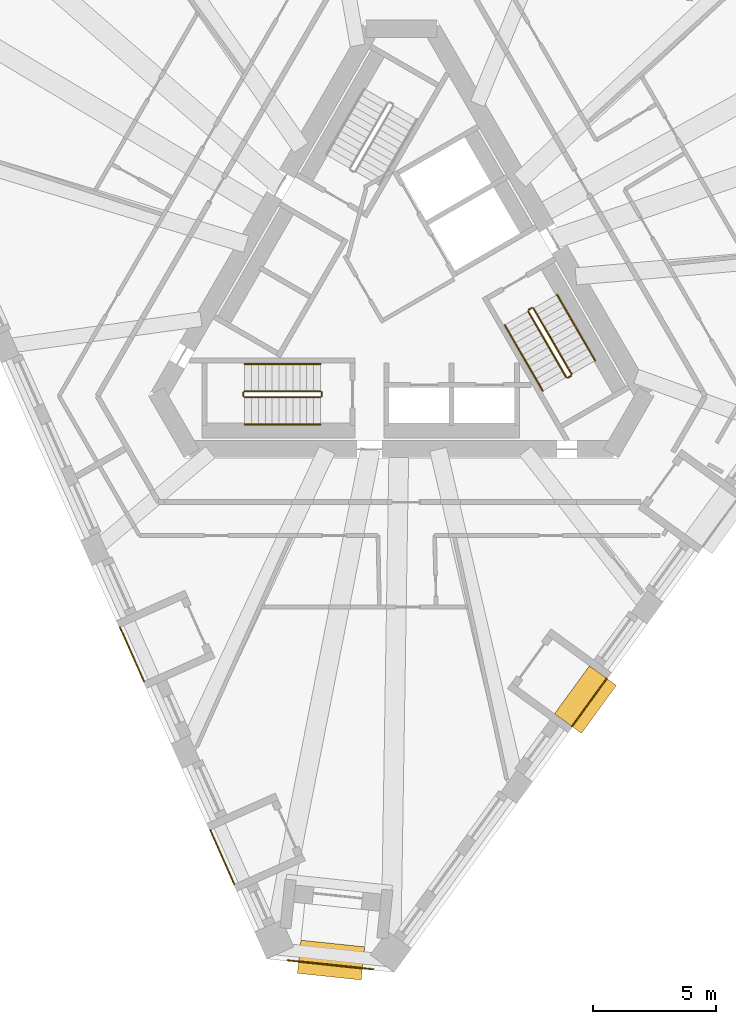
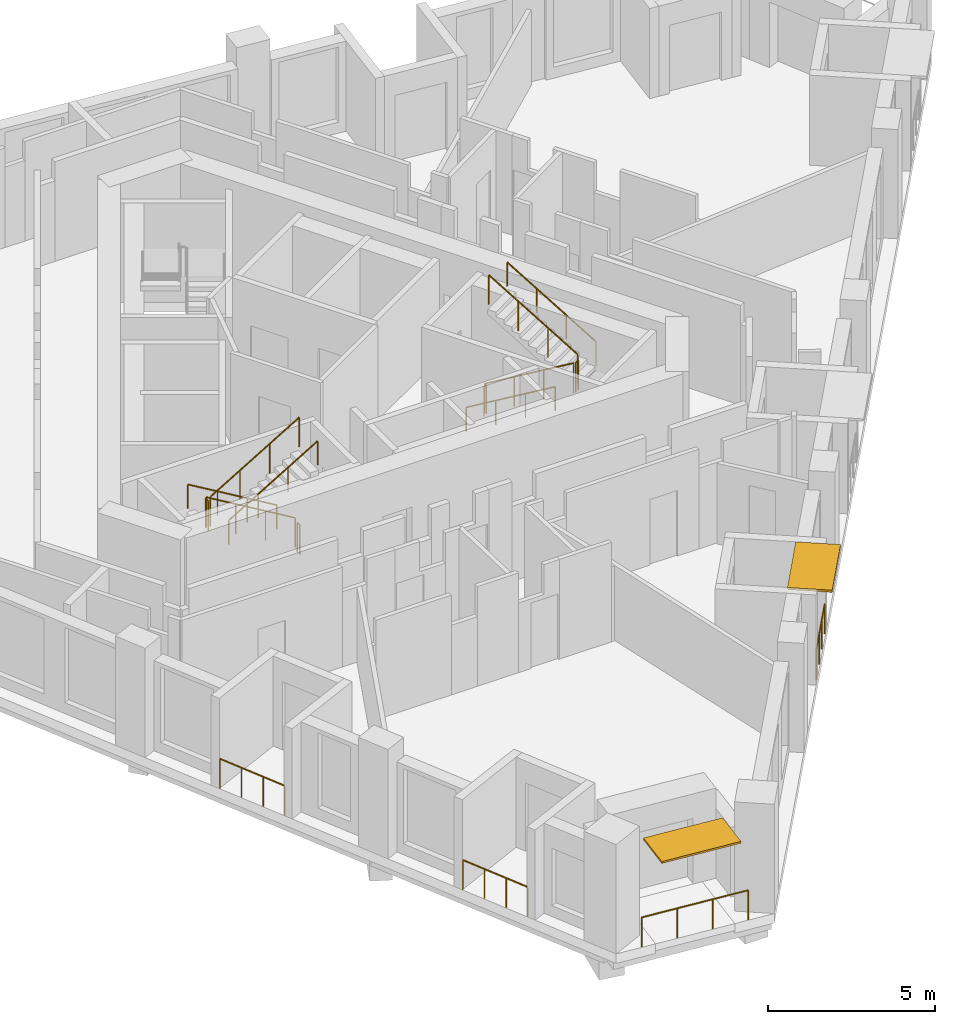
# One storey, part 9 of 11: 16 railings, 2 shading devices.
"""IFC4 building model written with IfcOpenShell, lengths in metres."""

from ifc_helpers import new_model, si_unit, direction, frame, origin, origin_2d, place, context, subcontext, project, spatial, rectangle, circle, extrude, material, layer, layer_set, type_object, element, save


model = new_model("IFC4")

# Units and contexts
model_context = context("Model", 3, precision=1e-05, world=origin(), true_north=direction((0.0, 1.0)))
body_context = subcontext(model_context, "Body", "Model", "MODEL_VIEW")
ifc_project = project(units=[si_unit("LENGTHUNIT", "METRE"), si_unit("AREAUNIT", "SQUARE_METRE"), si_unit("VOLUMEUNIT", "CUBIC_METRE"), si_unit("PLANEANGLEUNIT", "RADIAN"), si_unit("MASSUNIT", "GRAM", prefix="KILO")], contexts=[model_context])

# Site, building, storey
site_placement = place(None, origin())
site = spatial("IfcSite", under=ifc_project, at=site_placement, CompositionType="ELEMENT")
building_placement = place(site_placement, origin())
building = spatial("IfcBuilding", under=site, at=building_placement, Name="Tramontana Tower", CompositionType="ELEMENT")
storey_placement = place(building_placement, frame((0.0, 0.0, 241.199951171875)))
storey = spatial("IfcBuildingStorey", under=building, at=storey_placement, Name="L56", CompositionType="ELEMENT", Elevation=241.199951171875)

# Railings
ifc_material_1 = material(Name="Laminated glass balustrade", Category="glass")
railing_type_1 = type_object("IfcRailingType", Name="GD1 Loggia glass balustrade 1100", PredefinedType="BALUSTRADE", material=ifc_material_1)
for number, where, name in (
    (1, (-11.41455078125, -13.626220703125, 0.0), "Loggia balustrade L56 G6S0.10"),
    (2, (-7.751220703125, -21.854248046875, 0.0), "Loggia balustrade L56 G6S0.13"),
):
    element("IfcRailing", number, at=place(storey_placement, frame(where)), inside=storey, type_object=railing_type_1, Name=name, PredefinedType="BALUSTRADE", context=body_context, shape_type="SweptSolid", body=[
        extrude(circle(Radius=0.02392578125, at=origin_2d()), frame((0.0, 0.0, 1.076171875), z_axis=(0.406723017018, -0.913551524232, 0.0), x_axis=(0.913551524232, 0.406723017018, 0.0)), (0.0, 0.0, 1.0), 2.40234375),
        extrude(circle(Radius=0.02099609375, at=origin_2d()), origin(), (0.0, 0.0, 1.0), 1.052001953125),
        extrude(circle(Radius=0.02099609375, at=origin_2d()), frame((0.32568359375, -0.7314453125, 0.0)), (0.0, 0.0, 1.0), 1.052001953125),
        extrude(circle(Radius=0.02099609375, at=origin_2d()), frame((0.6513671875, -1.463134765625, 0.0)), (0.0, 0.0, 1.0), 1.052001953125),
        extrude(circle(Radius=0.02099609375, at=origin_2d()), frame((0.97705078125, -2.194580078125, 0.0)), (0.0, 0.0, 1.0), 1.052001953125),
    ])
railing_1_placement = place(storey_placement, frame((6.919921875, -17.645263671875, 0.0)))
element("IfcRailing", 3, at=railing_1_placement, inside=storey, type_object=railing_type_1, Name="Loggia balustrade L56 G6S1.4", PredefinedType="BALUSTRADE", context=body_context, shape_type="SweptSolid", body=[
    extrude(circle(Radius=0.02392578125, at=origin_2d()), frame((0.0, 0.0, 1.076171875), z_axis=(0.587784915375, 0.80901723916, 0.0), x_axis=(-0.80901723916, 0.587784915375, 0.0)), (0.0, 0.0, 1.0), 2.40234375),
    extrude(circle(Radius=0.02099609375, at=origin_2d()), origin(), (0.0, 0.0, 1.0), 1.052001953125),
    extrude(circle(Radius=0.02099609375, at=origin_2d()), frame((0.470703125, 0.64794921875, 0.0)), (0.0, 0.0, 1.0), 1.052001953125),
    extrude(circle(Radius=0.02099609375, at=origin_2d()), frame((0.94140625, 1.295654296875, 0.0)), (0.0, 0.0, 1.0), 1.052001953125),
    extrude(circle(Radius=0.02099609375, at=origin_2d()), frame((1.412109375, 1.943603515625, 0.0)), (0.0, 0.0, 1.0), 1.052001953125),
])
railing_2_placement = place(storey_placement, frame((-1.131103515625, -27.50244140625, 0.0)))
element("IfcRailing", 4, at=railing_2_placement, inside=storey, type_object=railing_type_1, Name="Corner loggia balustrade L56 K61", PredefinedType="BALUSTRADE", context=body_context, shape_type="SweptSolid", body=[
    extrude(circle(Radius=0.02392578125, at=origin_2d()), frame((0.0, 0.0, 1.076171875), z_axis=(-0.994518059202, 0.104564955513, 0.0), x_axis=(-0.104564955513, -0.994518059202, 0.0)), (0.0, 0.0, 1.0), 3.5),
    extrude(circle(Radius=0.02099609375, at=origin_2d()), origin(), (0.0, 0.0, 1.0), 1.052001953125),
    extrude(circle(Radius=0.02099609375, at=origin_2d()), frame((-1.16015625, 0.1220703125, 0.0)), (0.0, 0.0, 1.0), 1.052001953125),
    extrude(circle(Radius=0.02099609375, at=origin_2d()), frame((-2.320556640625, 0.243896484375, 0.0)), (0.0, 0.0, 1.0), 1.052001953125),
    extrude(circle(Radius=0.02099609375, at=origin_2d()), frame((-3.480712890625, 0.365966796875, 0.0)), (0.0, 0.0, 1.0), 1.052001953125),
])

# Shading devices
ifc_material_2 = material(Name="Precast concrete 60 MPa", Category="concrete")
ifc_layer_1 = layer(ifc_material_2, 0.070068359375)
ifc_layer_set_1 = layer_set([ifc_layer_1], Name="SS2 Stone sunshade blade 70")
shading_device_type_1 = type_object("IfcShadingDeviceType", Name="SS2 Stone sunshade blade 70", PredefinedType="USERDEFINED", material=ifc_layer_set_1)
shading_device_1_placement = place(storey_placement, frame((-2.85107421875, -27.12548828125, 3.22998046875), z_axis=(0.0, 0.0, 1.0), x_axis=(-0.994521895368, 0.104528463268, 0.0)))
element("IfcShadingDevice", 5, at=shading_device_1_placement, inside=storey, type_object=shading_device_type_1, Name="Corner sunshade L56 K61", ObjectType="SUNSHADE", PredefinedType="USERDEFINED", context=body_context, shape_type="SweptSolid", body=[
    extrude(rectangle(XDim=2.60009765625, YDim=1.35009765625, at=origin_2d()), origin(), (0.0, 0.0, 1.0), 0.070068359375),
])
ifc_material_3 = material(Name="Precast concrete 60 MPa", Category="concrete")
ifc_layer_2 = layer(ifc_material_3, 0.080078125)
ifc_layer_set_2 = layer_set([ifc_layer_2], Name="SS3 Stone sunshade blade 80")
shading_device_type_2 = type_object("IfcShadingDeviceType", Name="SS3 Stone sunshade blade 80", PredefinedType="USERDEFINED", material=ifc_layer_set_2)
shading_device_2_placement = place(storey_placement, frame((7.46826171875, -16.558837890625, 3.219970703125), z_axis=(0.0, 0.0, 1.0), x_axis=(0.587785252292, 0.809016994375, 0.0)))
element("IfcShadingDevice", 6, at=shading_device_2_placement, inside=storey, type_object=shading_device_type_2, Name="Sunshade L56 G6S1.4", ObjectType="SUNSHADE", PredefinedType="USERDEFINED", context=body_context, shape_type="SweptSolid", body=[
    extrude(rectangle(XDim=2.402099609375, YDim=1.35009765625, at=origin_2d()), origin(), (0.0, 0.0, 1.0), 0.080078125),
])

# Railings
ifc_material_4 = material(Name="Painted steel", Category="steel")
railing_type_2 = type_object("IfcRailingType", Name="STAIR GUARD 1100", PredefinedType="GUARDRAIL", material=ifc_material_4)
railing_3_placement = place(storey_placement, frame((-3.280029296875, -4.050048828125, 0.166748046875)))
element("IfcRailing", 7, at=railing_3_placement, inside=storey, type_object=railing_type_2, Name="L56 ST2 stair guard 1", PredefinedType="GUARDRAIL", context=body_context, shape_type="SweptSolid", body=[
    extrude(circle(Radius=0.02392578125, at=origin_2d()), frame((0.0, 0.0, 1.076171875), z_axis=(-0.859308565015, 0.0, 0.511457515432), x_axis=(0.0, -1.0, 0.0)), (0.0, 0.0, 1.0), 3.58447265625),
    extrude(circle(Radius=0.02099609375, at=origin_2d()), origin(), (0.0, 0.0, 1.0), 1.052001953125),
    extrude(circle(Radius=0.02099609375, at=origin_2d()), frame((-1.026611328125, 0.0, 0.611083984375)), (0.0, 0.0, 1.0), 1.052001953125),
    extrude(circle(Radius=0.02099609375, at=origin_2d()), frame((-2.053466796875, 0.0, 1.22216796875)), (0.0, 0.0, 1.0), 1.052001953125),
    extrude(circle(Radius=0.02099609375, at=origin_2d()), frame((-3.080078125, 0.0, 1.833251953125)), (0.0, 0.0, 1.0), 1.052001953125),
])
railing_4_placement = place(storey_placement, frame((-6.360107421875, -4.300048828125, 2.166748046875)))
element("IfcRailing", 8, at=railing_4_placement, inside=storey, type_object=railing_type_2, Name="L56 ST2 stair guard 2", PredefinedType="GUARDRAIL", context=body_context, shape_type="SweptSolid", body=[
    extrude(circle(Radius=0.02392578125, at=origin_2d()), frame((0.0, 0.0, 1.076171875), z_axis=(0.859308565015, 0.0, 0.511457515432), x_axis=(0.0, 1.0, 0.0)), (0.0, 0.0, 1.0), 3.58447265625),
    extrude(circle(Radius=0.02099609375, at=origin_2d()), origin(), (0.0, 0.0, 1.0), 1.052001953125),
    extrude(circle(Radius=0.02099609375, at=origin_2d()), frame((1.026611328125, 0.0, 0.611083984375)), (0.0, 0.0, 1.0), 1.052001953125),
    extrude(circle(Radius=0.02099609375, at=origin_2d()), frame((2.053466796875, 0.0, 1.22216796875)), (0.0, 0.0, 1.0), 1.052001953125),
    extrude(circle(Radius=0.02099609375, at=origin_2d()), frame((3.080078125, 0.0, 1.833251953125)), (0.0, 0.0, 1.0), 1.052001953125),
])
for number, where, name in (
    (9, (-6.409912109375, -4.10009765625, 2.0), "L56 ST2 stair guard 3"),
    (10, (-3.22998046875, -4.10009765625, 0.0), "L56 ST2 stair guard 4"),
):
    element("IfcRailing", number, at=place(storey_placement, frame(where)), inside=storey, type_object=railing_type_2, Name=name, PredefinedType="GUARDRAIL", context=body_context, shape_type="SweptSolid", body=[
        extrude(circle(Radius=0.02392578125, at=origin_2d()), frame((0.0, 0.0, 1.076171875), z_axis=(0.0, -1.0, 0.0), x_axis=(1.0, 0.0, 0.0)), (0.0, 0.0, 1.0), 0.14990234375),
        extrude(circle(Radius=0.02099609375, at=origin_2d()), origin(), (0.0, 0.0, 1.0), 1.052001953125),
        extrude(circle(Radius=0.02099609375, at=origin_2d()), frame((0.0, -0.14990234375, 0.0)), (0.0, 0.0, 1.0), 1.052001953125),
    ])
railing_5_placement = place(storey_placement, frame((5.1474609375, -0.815673828125, 0.166748046875)))
element("IfcRailing", 11, at=railing_5_placement, inside=storey, type_object=railing_type_2, Name="L56 ST3 stair guard 1", PredefinedType="GUARDRAIL", context=body_context, shape_type="SweptSolid", body=[
    extrude(circle(Radius=0.02392578125, at=origin_2d()), frame((0.0, 0.0, 1.076171875), z_axis=(0.429671193721, -0.744159446956, 0.511477646425), x_axis=(0.866010015463, 0.500026652407, 0.0)), (0.0, 0.0, 1.0), 3.584228515625),
    extrude(circle(Radius=0.02099609375, at=origin_2d()), origin(), (0.0, 0.0, 1.0), 1.052001953125),
    extrude(circle(Radius=0.02099609375, at=origin_2d()), frame((0.513427734375, -0.88916015625, 0.611083984375)), (0.0, 0.0, 1.0), 1.052001953125),
    extrude(circle(Radius=0.02099609375, at=origin_2d()), frame((1.026611328125, -1.778076171875, 1.22216796875)), (0.0, 0.0, 1.0), 1.052001953125),
    extrude(circle(Radius=0.02099609375, at=origin_2d()), frame((1.5400390625, -2.667236328125, 1.833251953125)), (0.0, 0.0, 1.0), 1.052001953125),
])
railing_6_placement = place(storey_placement, frame((6.90380859375, -3.35791015625, 2.166748046875)))
element("IfcRailing", 12, at=railing_6_placement, inside=storey, type_object=railing_type_2, Name="L56 ST3 stair guard 2", PredefinedType="GUARDRAIL", context=body_context, shape_type="SweptSolid", body=[
    extrude(circle(Radius=0.02392578125, at=origin_2d()), frame((0.0, 0.0, 1.076171875), z_axis=(-0.429615651263, 0.74418122563, 0.511492615401), x_axis=(-0.866044340336, -0.499967199496, 0.0)), (0.0, 0.0, 1.0), 3.584228515625),
    extrude(circle(Radius=0.02099609375, at=origin_2d()), origin(), (0.0, 0.0, 1.0), 1.052001953125),
    extrude(circle(Radius=0.02099609375, at=origin_2d()), frame((-0.51318359375, 0.88916015625, 0.611083984375)), (0.0, 0.0, 1.0), 1.052001953125),
    extrude(circle(Radius=0.02099609375, at=origin_2d()), frame((-1.026611328125, 1.778076171875, 1.22216796875)), (0.0, 0.0, 1.0), 1.052001953125),
    extrude(circle(Radius=0.02099609375, at=origin_2d()), frame((-1.539794921875, 2.667236328125, 1.833251953125)), (0.0, 0.0, 1.0), 1.052001953125),
])
for number, where, name in (
    (13, (6.755615234375, -3.501220703125, 2.0), "L56 ST3 stair guard 3"),
    (14, (5.165771484375, -0.747314453125, 0.0), "L56 ST3 stair guard 4"),
):
    element("IfcRailing", number, at=place(storey_placement, frame(where)), inside=storey, type_object=railing_type_2, Name=name, PredefinedType="GUARDRAIL", context=body_context, shape_type="SweptSolid", body=[
        extrude(circle(Radius=0.02392578125, at=origin_2d()), frame((0.0, 0.0, 1.076171875), z_axis=(0.866131372301, 0.499816412211, 0.0), x_axis=(-0.499816412211, 0.866131372301, 0.0)), (0.0, 0.0, 1.0), 0.14990234375),
        extrude(circle(Radius=0.02099609375, at=origin_2d()), origin(), (0.0, 0.0, 1.0), 1.052001953125),
        extrude(circle(Radius=0.02099609375, at=origin_2d()), frame((0.1298828125, 0.074951171875, 0.0)), (0.0, 0.0, 1.0), 1.052001953125),
    ])
ifc_material_5 = material(Name="Painted steel", Category="steel")
railing_type_3 = type_object("IfcRailingType", Name="STAIR HANDRAIL 900", PredefinedType="HANDRAIL", material=ifc_material_5)
railing_7_placement = place(storey_placement, frame((-3.280029296875, -2.949951171875, 0.166748046875)))
element("IfcRailing", 15, at=railing_7_placement, inside=storey, type_object=railing_type_3, Name="L56 ST2 stair handrail 1", PredefinedType="HANDRAIL", context=body_context, shape_type="SweptSolid", body=[
    extrude(circle(Radius=0.02392578125, at=origin_2d()), frame((0.0, 0.0, 0.8759765625), z_axis=(-0.859308565015, 0.0, 0.511457515432), x_axis=(0.0, -1.0, 0.0)), (0.0, 0.0, 1.0), 3.58447265625),
    extrude(circle(Radius=0.02099609375, at=origin_2d()), origin(), (0.0, 0.0, 1.0), 0.851806640625),
    extrude(circle(Radius=0.02099609375, at=origin_2d()), frame((-1.026611328125, 0.0, 0.611083984375)), (0.0, 0.0, 1.0), 0.851806640625),
    extrude(circle(Radius=0.02099609375, at=origin_2d()), frame((-2.053466796875, 0.0, 1.22216796875)), (0.0, 0.0, 1.0), 0.851806640625),
    extrude(circle(Radius=0.02099609375, at=origin_2d()), frame((-3.080078125, 0.0, 1.833251953125)), (0.0, 0.0, 1.0), 0.851806640625),
])
railing_8_placement = place(storey_placement, frame((-6.360107421875, -5.39990234375, 2.166748046875)))
element("IfcRailing", 16, at=railing_8_placement, inside=storey, type_object=railing_type_3, Name="L56 ST2 stair handrail 2", PredefinedType="HANDRAIL", context=body_context, shape_type="SweptSolid", body=[
    extrude(circle(Radius=0.02392578125, at=origin_2d()), frame((0.0, 0.0, 0.8759765625), z_axis=(0.859308565015, 0.0, 0.511457515432), x_axis=(0.0, 1.0, 0.0)), (0.0, 0.0, 1.0), 3.58447265625),
    extrude(circle(Radius=0.02099609375, at=origin_2d()), origin(), (0.0, 0.0, 1.0), 0.851806640625),
    extrude(circle(Radius=0.02099609375, at=origin_2d()), frame((1.026611328125, 0.0, 0.611083984375)), (0.0, 0.0, 1.0), 0.851806640625),
    extrude(circle(Radius=0.02099609375, at=origin_2d()), frame((2.053466796875, 0.0, 1.22216796875)), (0.0, 0.0, 1.0), 0.851806640625),
    extrude(circle(Radius=0.02099609375, at=origin_2d()), frame((3.080078125, 0.0, 1.833251953125)), (0.0, 0.0, 1.0), 0.851806640625),
])
railing_9_placement = place(storey_placement, frame((4.19482421875, -1.365478515625, 0.166748046875)))
element("IfcRailing", 17, at=railing_9_placement, inside=storey, type_object=railing_type_3, Name="L56 ST3 stair handrail 1", PredefinedType="HANDRAIL", context=body_context, shape_type="SweptSolid", body=[
    extrude(circle(Radius=0.02392578125, at=origin_2d()), frame((0.0, 0.0, 0.8759765625), z_axis=(0.429649414936, -0.744189839504, 0.511451721109), x_axis=(0.866029832698, 0.499992328818, 0.0)), (0.0, 0.0, 1.0), 3.58447265625),
    extrude(circle(Radius=0.02099609375, at=origin_2d()), origin(), (0.0, 0.0, 1.0), 0.851806640625),
    extrude(circle(Radius=0.02099609375, at=origin_2d()), frame((0.513427734375, -0.88916015625, 0.611083984375)), (0.0, 0.0, 1.0), 0.851806640625),
    extrude(circle(Radius=0.02099609375, at=origin_2d()), frame((1.026611328125, -1.7783203125, 1.22216796875)), (0.0, 0.0, 1.0), 0.851806640625),
    extrude(circle(Radius=0.02099609375, at=origin_2d()), frame((1.5400390625, -2.66748046875, 1.833251953125)), (0.0, 0.0, 1.0), 0.851806640625),
])
railing_10_placement = place(storey_placement, frame((7.8564453125, -2.807861328125, 2.166748046875)))
element("IfcRailing", 18, at=railing_10_placement, inside=storey, type_object=railing_type_3, Name="L56 ST3 stair handrail 2", PredefinedType="HANDRAIL", context=body_context, shape_type="SweptSolid", body=[
    extrude(circle(Radius=0.02392578125, at=origin_2d()), frame((0.0, 0.0, 0.8759765625), z_axis=(-0.429615651263, 0.74418122563, 0.511492615401), x_axis=(-0.866044340336, -0.499967199496, 0.0)), (0.0, 0.0, 1.0), 3.584228515625),
    extrude(circle(Radius=0.02099609375, at=origin_2d()), origin(), (0.0, 0.0, 1.0), 0.851806640625),
    extrude(circle(Radius=0.02099609375, at=origin_2d()), frame((-0.51318359375, 0.88916015625, 0.611083984375)), (0.0, 0.0, 1.0), 0.851806640625),
    extrude(circle(Radius=0.02099609375, at=origin_2d()), frame((-1.026611328125, 1.778076171875, 1.22216796875)), (0.0, 0.0, 1.0), 0.851806640625),
    extrude(circle(Radius=0.02099609375, at=origin_2d()), frame((-1.539794921875, 2.667236328125, 1.833251953125)), (0.0, 0.0, 1.0), 0.851806640625),
])

save(model, "model.ifc")
